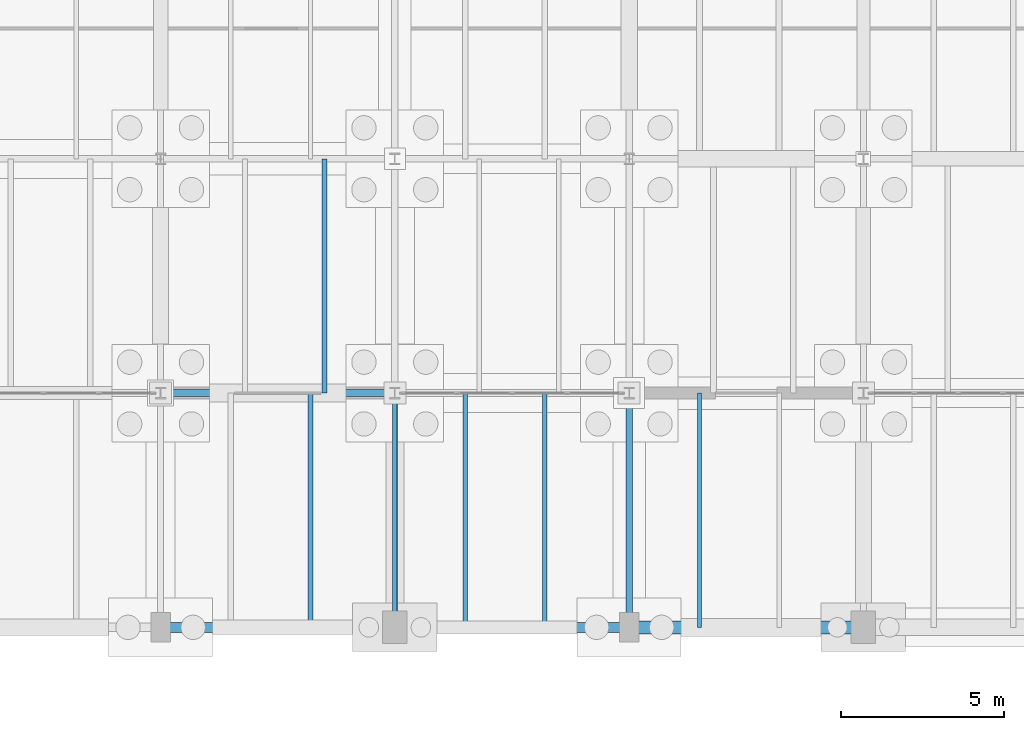
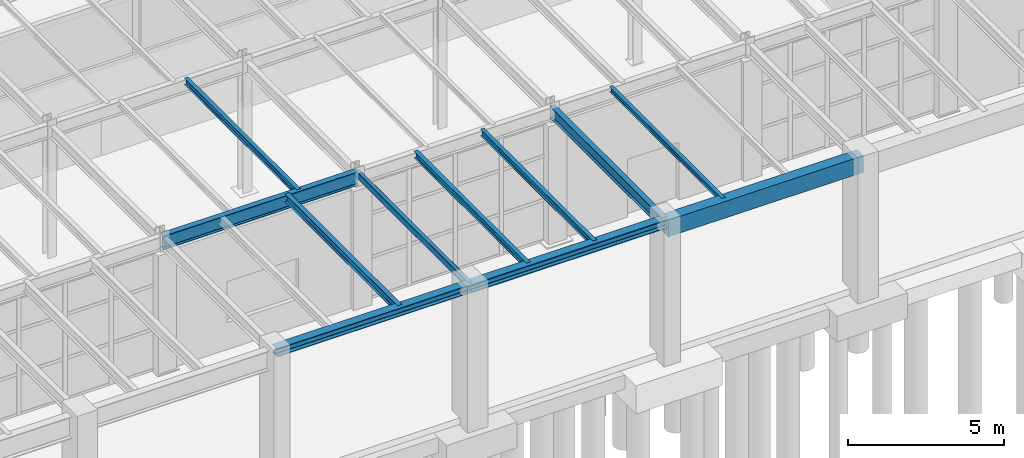
# One storey, part 84 of 293: 11 beams.
"""IFC4 building model written with IfcOpenShell, lengths in metres."""

from ifc_helpers import new_model, si_unit, direction, frame, origin, origin_2d, place, context, subcontext, project, spatial, rectangle, hollow_rectangle, i_section, extrude, material, material_profile, profile_set, type_object, element, save


model = new_model("IFC4")

# Units and contexts
model_context = context("Model", 3, precision=1e-05, world=origin(), true_north=direction((0.0, 1.0)))
body_context = subcontext(model_context, "Body", "Model", "MODEL_VIEW")
ifc_project = project(units=[si_unit("LENGTHUNIT", "METRE"), si_unit("AREAUNIT", "SQUARE_METRE"), si_unit("VOLUMEUNIT", "CUBIC_METRE"), si_unit("PLANEANGLEUNIT", "RADIAN"), si_unit("MASSUNIT", "GRAM", prefix="KILO")], contexts=[model_context])

# Site, building, storey
site_placement = place(None, origin())
site = spatial("IfcSite", under=ifc_project, at=site_placement, CompositionType="ELEMENT")
building_placement = place(site_placement, origin())
building = spatial("IfcBuilding", under=site, at=building_placement, Name="Kemerveld Promenade Tramway Depot", CompositionType="ELEMENT")
storey_placement = place(building_placement, origin())
storey = spatial("IfcBuildingStorey", under=building, at=storey_placement, Name="L00", CompositionType="ELEMENT", Elevation=0.0)

# Beams
ifc_material_1 = material(Name="Steel S355", Category="steel")
ifc_material_profile_1 = material_profile(ifc_material_1, i_section(OverallWidth=0.2099609375, OverallDepth=0.53662109375, WebThickness=0.0107421875, FlangeThickness=0.017333984375, FilletRadius=0.0126953125, at=origin_2d()), Name="533x210x101 UB")
ifc_profile_set_1 = profile_set([ifc_material_profile_1], Name="Steel S355")
beam_type_1 = type_object("IfcBeamType", Name="BM-G05", PredefinedType="BEAM", material=ifc_profile_set_1)
beam_1_placement = place(storey_placement, frame((108.0, 7.199951171875, 4.906494140625), z_axis=(1.0, 0.0, 0.0), x_axis=(0.0, 1.0, 0.0)))
element("IfcBeam", 1, at=beam_1_placement, inside=storey, type_object=beam_type_1, Name="BMX-L00-16-17-B", PredefinedType="BEAM", context=body_context, shape_type="SweptSolid", body=[
    extrude(i_section(OverallWidth=0.2099609375, OverallDepth=0.53662109375, WebThickness=0.0107421875, FlangeThickness=0.017333984375, FilletRadius=0.0126953125, at=origin_2d()), origin(), (0.0, 0.0, 1.0), 7.199951171875),
])
ifc_material_profile_2 = material_profile(ifc_material_1, i_section(OverallWidth=0.19140625, OverallDepth=0.4599609375, WebThickness=0.010009765625, FlangeThickness=0.01611328125, FilletRadius=0.01025390625, at=origin_2d()), Name="457x191x82 UB")
ifc_profile_set_2 = profile_set([ifc_material_profile_2], Name="Steel S355")
beam_type_2 = type_object("IfcBeamType", Name="BM-G06", PredefinedType="BEAM", material=ifc_profile_set_2)
beam_2_placement = place(storey_placement, frame((122.39990234375, 0.0, 4.945068359375), z_axis=(0.0, 1.0, 0.0), x_axis=(-1.0, 0.0, 0.0)))
element("IfcBeam", 2, at=beam_2_placement, inside=storey, type_object=beam_type_2, Name="BMY-L00-18-A-B", PredefinedType="BEAM", context=body_context, shape_type="SweptSolid", body=[
    extrude(i_section(OverallWidth=0.19140625, OverallDepth=0.4599609375, WebThickness=0.010009765625, FlangeThickness=0.01611328125, FilletRadius=0.01025390625, at=origin_2d()), origin(), (0.0, 0.0, 1.0), 7.199951171875),
])
ifc_material_profile_3 = material_profile(ifc_material_1, i_section(OverallWidth=0.307373046875, OverallDepth=0.314453125, WebThickness=0.011962890625, FlangeThickness=0.018798828125, FilletRadius=0.01513671875, at=origin_2d()), Name="305x305x118 UC")
ifc_profile_set_3 = profile_set([ifc_material_profile_3], Name="Steel S355")
beam_type_3 = type_object("IfcBeamType", Name="BM-G12", PredefinedType="BEAM", material=ifc_profile_set_3)
beam_3_placement = place(storey_placement, frame((108.0, 0.0, 5.017578125), z_axis=(1.0, 0.0, 0.0), x_axis=(0.0, 1.0, 0.0)))
element("IfcBeam", 3, at=beam_3_placement, inside=storey, type_object=beam_type_3, Name="BMX-L00-16-17-A", PredefinedType="BEAM", context=body_context, shape_type="SweptSolid", body=[
    extrude(i_section(OverallWidth=0.307373046875, OverallDepth=0.314453125, WebThickness=0.011962890625, FlangeThickness=0.018798828125, FilletRadius=0.01513671875, at=origin_2d()), origin(), (0.0, 0.0, 1.0), 7.199951171875),
])
ifc_material_profile_4 = material_profile(ifc_material_1, i_section(OverallWidth=0.311279296875, OverallDepth=0.3271484375, WebThickness=0.015869140625, FlangeThickness=0.02490234375, FilletRadius=0.01513671875, at=origin_2d()), Name="305x305x158 UC")
ifc_profile_set_4 = profile_set([ifc_material_profile_4], Name="Steel S355")
beam_type_4 = type_object("IfcBeamType", Name="BM-G13", PredefinedType="BEAM", material=ifc_profile_set_4)
beam_4_placement = place(storey_placement, frame((115.199951171875, 0.0, 5.011474609375), z_axis=(1.0, 0.0, 0.0), x_axis=(0.0, 1.0, 0.0)))
element("IfcBeam", 4, at=beam_4_placement, inside=storey, type_object=beam_type_4, Name="BMX-L00-17-18-A", PredefinedType="BEAM", context=body_context, shape_type="SweptSolid", body=[
    extrude(i_section(OverallWidth=0.311279296875, OverallDepth=0.3271484375, WebThickness=0.015869140625, FlangeThickness=0.02490234375, FilletRadius=0.01513671875, at=origin_2d()), origin(), (0.0, 0.0, 1.0), 7.199951171875),
])
ifc_material_profile_5 = material_profile(ifc_material_1, i_section(OverallWidth=0.165771484375, OverallDepth=0.306640625, WebThickness=0.006591796875, FlangeThickness=0.01171875, FilletRadius=0.0087890625, at=origin_2d()), Name="305x165x46 UB")
ifc_profile_set_5 = profile_set([ifc_material_profile_5], Name="Steel S355")
beam_type_5 = type_object("IfcBeamType", Name="BM-J01", PredefinedType="JOIST", material=ifc_profile_set_5)
beam_5_placement = place(storey_placement, frame((112.60791015625, 0.0, 5.021728515625), z_axis=(0.0, 1.0, 0.0), x_axis=(-1.0, 0.0, 0.0)))
element("IfcBeam", 5, at=beam_5_placement, inside=storey, type_object=beam_type_5, Name="JST-L00-16-A-2", PredefinedType="JOIST", context=body_context, shape_type="SweptSolid", body=[
    extrude(i_section(OverallWidth=0.165771484375, OverallDepth=0.306640625, WebThickness=0.006591796875, FlangeThickness=0.01171875, FilletRadius=0.0087890625, at=origin_2d()), origin(), (0.0, 0.0, 1.0), 7.199951171875),
])
ifc_material_profile_6 = material_profile(ifc_material_1, i_section(OverallWidth=0.146484375, OverallDepth=0.256103515625, WebThickness=0.00634765625, FlangeThickness=0.010986328125, FilletRadius=0.007568359375, at=origin_2d()), Name="254x146x37 UB")
ifc_profile_set_6 = profile_set([ifc_material_profile_6], Name="Steel S355")
beam_type_6 = type_object("IfcBeamType", Name="BM-J02", PredefinedType="JOIST", material=ifc_profile_set_6)
for number, where, z_axis, x_axis, name in (
    (6, (113.0400390625, 7.199951171875, 5.047119140625), (0.0, 1.0, 0.0), (-1.0, 0.0, 0.0), "JST-L00-16-B-2"),
    (7, (117.360107421875, 0.0, 5.047119140625), (0.0, 1.0, 0.0), (-1.0, 0.0, 0.0), "JST-L00-17-A-1"),
    (8, (119.80810546875, 0.0, 5.047119140625), (0.0, 1.0, 0.0), (-1.0, 0.0, 0.0), "JST-L00-17-A-2"),
):
    element("IfcBeam", number, at=place(storey_placement, frame(where, z_axis=z_axis, x_axis=x_axis)), inside=storey, type_object=beam_type_6, Name=name, PredefinedType="JOIST", context=body_context, shape_type="SweptSolid", body=[
        extrude(i_section(OverallWidth=0.146484375, OverallDepth=0.256103515625, WebThickness=0.00634765625, FlangeThickness=0.010986328125, FilletRadius=0.007568359375, at=origin_2d()), origin(), (0.0, 0.0, 1.0), 7.199951171875),
    ])
ifc_material_profile_7 = material_profile(ifc_material_1, i_section(OverallWidth=0.13330078125, OverallDepth=0.203125, WebThickness=0.005615234375, FlangeThickness=0.0078125, FilletRadius=0.007568359375, at=origin_2d()), Name="203x133x25 UB")
ifc_profile_set_7 = profile_set([ifc_material_profile_7], Name="Steel S355")
beam_type_7 = type_object("IfcBeamType", Name="BM-J03", PredefinedType="JOIST", material=ifc_profile_set_7)
beam_6_placement = place(storey_placement, frame((124.56005859375, 0.0, 5.073486328125), z_axis=(0.0, 1.0, 0.0), x_axis=(-1.0, 0.0, 0.0)))
element("IfcBeam", 9, at=beam_6_placement, inside=storey, type_object=beam_type_7, Name="JST-L00-18-A-1", PredefinedType="JOIST", context=body_context, shape_type="SweptSolid", body=[
    extrude(i_section(OverallWidth=0.13330078125, OverallDepth=0.203125, WebThickness=0.005615234375, FlangeThickness=0.0078125, FilletRadius=0.007568359375, at=origin_2d()), origin(), (0.0, 0.0, 1.0), 7.199951171875),
])
ifc_material_2 = material(Name="Concrete C40/50", Category="concrete")
ifc_material_profile_8 = material_profile(ifc_material_2, rectangle(XDim=0.39990234375, YDim=0.64990234375, at=origin_2d()), Name="RC-BM-400x650")
ifc_profile_set_8 = profile_set([ifc_material_profile_8], Name="Concrete C40/50")
beam_type_8 = type_object("IfcBeamType", Name="BM-RC1", PredefinedType="BEAM", material=ifc_profile_set_8)
beam_7_placement = place(storey_placement, frame((122.39990234375, 0.0, 4.85009765625), z_axis=(1.0, 0.0, 0.0), x_axis=(0.0, 1.0, 0.0)))
element("IfcBeam", 10, at=beam_7_placement, inside=storey, type_object=beam_type_8, Name="BMX-L00-18-19-A", PredefinedType="BEAM", context=body_context, shape_type="SweptSolid", body=[
    extrude(rectangle(XDim=0.39990234375, YDim=0.64990234375, at=origin_2d()), origin(), (0.0, 0.0, 1.0), 7.2001953125),
])
ifc_material_profile_9 = material_profile(ifc_material_1, hollow_rectangle(XDim=0.14990234375, YDim=0.25, WallThickness=0.010009765625, InnerFilletRadius=0.0048828125, OuterFilletRadius=0.014892578125, at=origin_2d()), Name="250x150x10.0 RHS")
ifc_profile_set_9 = profile_set([ifc_material_profile_9], Name="Steel S355")
beam_type_9 = type_object("IfcBeamType", Name="BM-SP2", PredefinedType="SPANDREL", material=ifc_profile_set_9)
beam_8_placement = place(storey_placement, frame((115.199951171875, 0.0, 5.050048828125), z_axis=(0.0, 1.0, 0.0), x_axis=(-1.0, 0.0, 0.0)))
element("IfcBeam", 11, at=beam_8_placement, inside=storey, type_object=beam_type_9, Name="BMY-L00-17-A-B", PredefinedType="SPANDREL", context=body_context, shape_type="SweptSolid", body=[
    extrude(hollow_rectangle(XDim=0.14990234375, YDim=0.25, WallThickness=0.010009765625, InnerFilletRadius=0.0048828125, OuterFilletRadius=0.014892578125, at=origin_2d()), origin(), (0.0, 0.0, 1.0), 7.199951171875),
])

save(model, "model.ifc")
